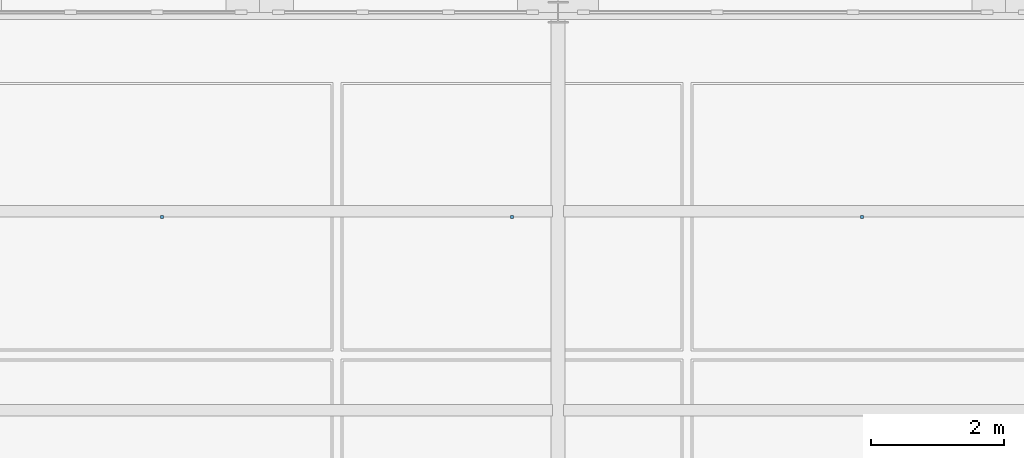
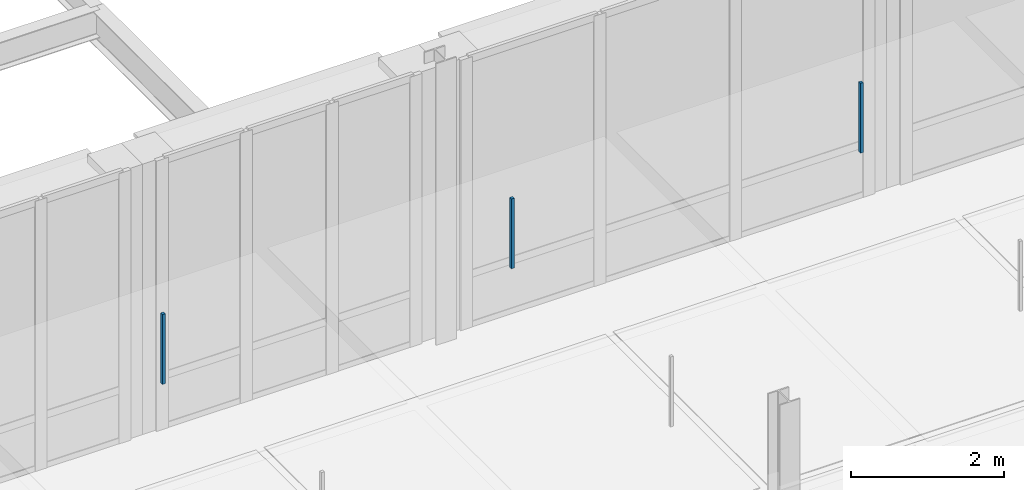
# One storey, part 118 of 140: 3 discrete accessories.
"""IFC4 building model written with IfcOpenShell, lengths in metres."""

from ifc_helpers import new_model, si_unit, direction, frame, origin, origin_2d, place, context, subcontext, project, spatial, rectangle, extrude, material, type_object, element, save


model = new_model("IFC4")

# Units and contexts
model_context = context("Model", 3, precision=1e-05, world=origin(), true_north=direction((0.0, 1.0)))
body_context = subcontext(model_context, "Body", "Model", "MODEL_VIEW")
ifc_project = project(units=[si_unit("LENGTHUNIT", "METRE"), si_unit("AREAUNIT", "SQUARE_METRE"), si_unit("VOLUMEUNIT", "CUBIC_METRE"), si_unit("PLANEANGLEUNIT", "RADIAN"), si_unit("MASSUNIT", "GRAM", prefix="KILO"), si_unit("THERMODYNAMICTEMPERATUREUNIT", "KELVIN"), si_unit("POWERUNIT", "WATT")], contexts=[model_context])

# Site, building, storey
site_placement = place(None, origin())
site = spatial("IfcSite", under=ifc_project, at=site_placement, CompositionType="ELEMENT")
building_placement = place(site_placement, origin())
building = spatial("IfcBuilding", under=site, at=building_placement, Name="Tallowbark Science Centre", CompositionType="ELEMENT")
storey_placement = place(building_placement, frame((0.0, 0.0, 9.89990234375)))
storey = spatial("IfcBuildingStorey", under=building, at=storey_placement, Name="L02", CompositionType="ELEMENT", Elevation=9.89990234375)

# Discrete accessories
ifc_material = material(Name="Galvanised Steel Grade C350L0 (350 MPa)", Category="steel")
discrete_accessory_type = type_object("IfcDiscreteAccessoryType", Name="ACC-CLG-HNG", PredefinedType="BRACKET", material=ifc_material)
for number, where, z_axis, x_axis, name in (
    (1, (93.02783203125, 95.916748046875, 3.205078125), (0.0, 0.0, 1.0), (1.0, 0.0, 0.0), "Ceiling Hanger Bracket L02-892"),
    (2, (98.3056640625, 95.916748046875, 3.205078125), (0.0, 0.0, 1.0), (1.0, 0.0, 0.0), "Ceiling Hanger Bracket L02-898"),
    (3, (103.583251953125, 95.916748046875, 3.205078125), (0.0, 0.0, 1.0), (1.0, 0.0, 0.0), "Ceiling Hanger Bracket L02-904"),
):
    element("IfcDiscreteAccessory", number, at=place(storey_placement, frame(where, z_axis=z_axis, x_axis=x_axis)), inside=storey, type_object=discrete_accessory_type, Name=name, PredefinedType="BRACKET", context=body_context, shape_type="SweptSolid", body=[
        extrude(rectangle(XDim=0.044921875, YDim=0.044921875, at=origin_2d()), origin(), (0.0, 0.0, 1.0), 1.117919921875),
    ])

save(model, "model.ifc")
